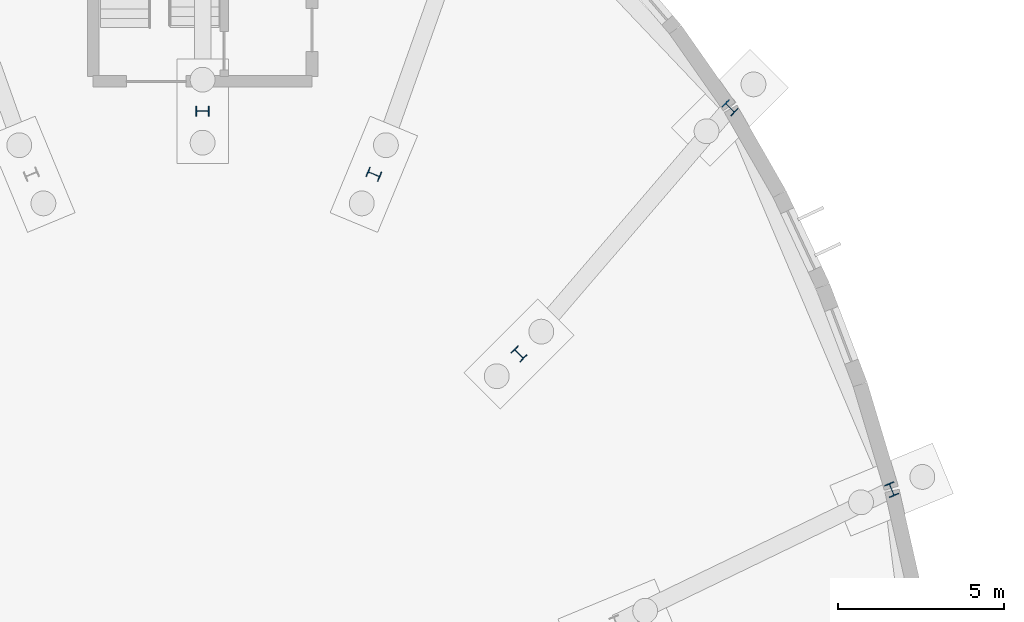
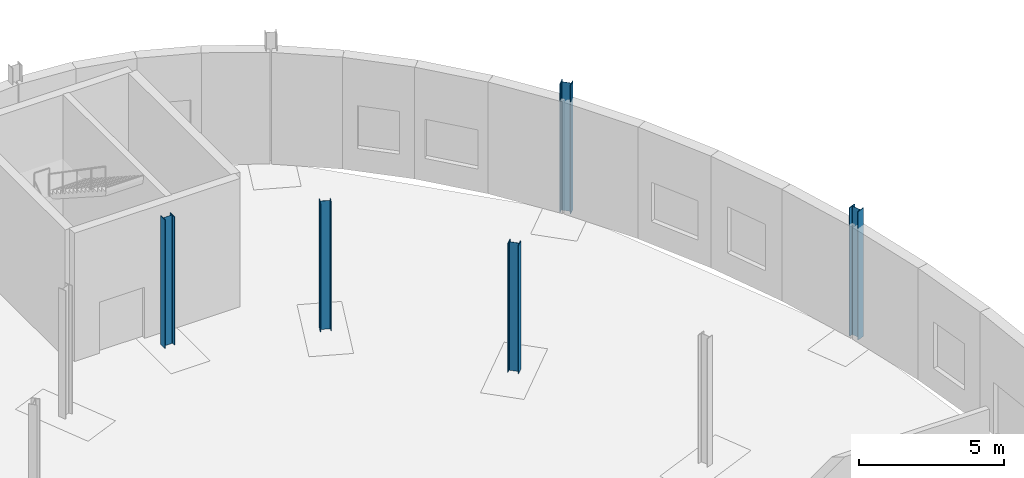
# One storey, part 43 of 118: 5 columns.
"""IFC4 building model written with IfcOpenShell, lengths in metres."""

from ifc_helpers import new_model, si_unit, direction, frame, origin, origin_2d, place, context, subcontext, project, spatial, i_section, extrude, material, material_profile, profile_set, type_object, element, save


model = new_model("IFC4")

# Units and contexts
model_context = context("Model", 3, precision=1e-05, world=origin(), true_north=direction((0.0, 1.0)))
body_context = subcontext(model_context, "Body", "Model", "MODEL_VIEW")
ifc_project = project(units=[si_unit("LENGTHUNIT", "METRE"), si_unit("AREAUNIT", "SQUARE_METRE"), si_unit("VOLUMEUNIT", "CUBIC_METRE"), si_unit("PLANEANGLEUNIT", "RADIAN"), si_unit("MASSUNIT", "GRAM", prefix="KILO")], contexts=[model_context])

# Site, building, storey
site_placement = place(None, origin())
site = spatial("IfcSite", under=ifc_project, at=site_placement, CompositionType="ELEMENT")
building_placement = place(site_placement, origin())
building = spatial("IfcBuilding", under=site, at=building_placement, Name="Kildeholm Park Wholesale Market", CompositionType="ELEMENT")
storey_placement = place(building_placement, origin())
storey = spatial("IfcBuildingStorey", under=building, at=storey_placement, Name="L00", CompositionType="ELEMENT", Elevation=0.0)

# Columns
ifc_material = material(Name="Steel S355", Category="steel")
ifc_material_profile = material_profile(ifc_material, i_section(OverallWidth=0.300048828125, OverallDepth=0.39990234375, WebThickness=0.013427734375, FlangeThickness=0.02392578125, FilletRadius=0.027099609375, at=origin_2d()), Name="HEB 400")
ifc_profile_set = profile_set([ifc_material_profile], Name="Steel S355")
column_type = type_object("IfcColumnType", Name="Column C-S05 HEB 400", PredefinedType="COLUMN", material=ifc_profile_set)
for number, where, z_axis, x_axis, name in (
    (1, (208.787109375, 108.0849609375, 0.0), (0.0, 0.0, 1.0), (0.923879532511, 0.382683432365, 0.0), "Column V2-OT-01 L00 COL-0225"),
    (2, (197.5458984375, 112.177978515625, 0.0), (0.0, 0.0, 1.0), (0.707106781187, 0.707106781187, 0.0), "Column V2-IN-02 L00 COL-0227"),
    (3, (203.909912109375, 119.60205078125, 0.0), (0.0, 0.0, 1.0), (0.707106781187, 0.707106781187, 0.0), "Column V2-OT-02 L00 COL-0230"),
    (4, (193.166015625, 117.596923828125, 0.0), (0.0, 0.0, 1.0), (0.382683432365, 0.923879532511, 0.0), "Column V2-IN-03 L00 COL-0232"),
    (5, (188.0, 119.5, 0.0), (0.0, 0.0, 1.0), (0.0, 1.0, 0.0), "Column V2-IN-04 L00 COL-0237"),
):
    element("IfcColumn", number, at=place(storey_placement, frame(where, z_axis=z_axis, x_axis=x_axis)), inside=storey, type_object=column_type, Name=name, PredefinedType="COLUMN", context=body_context, shape_type="SweptSolid", body=[
        extrude(i_section(OverallWidth=0.300048828125, OverallDepth=0.39990234375, WebThickness=0.013427734375, FlangeThickness=0.02392578125, FilletRadius=0.027099609375, at=origin_2d()), origin(), (0.0, 0.0, 1.0), 5.39990234375),
    ])

save(model, "model.ifc")
